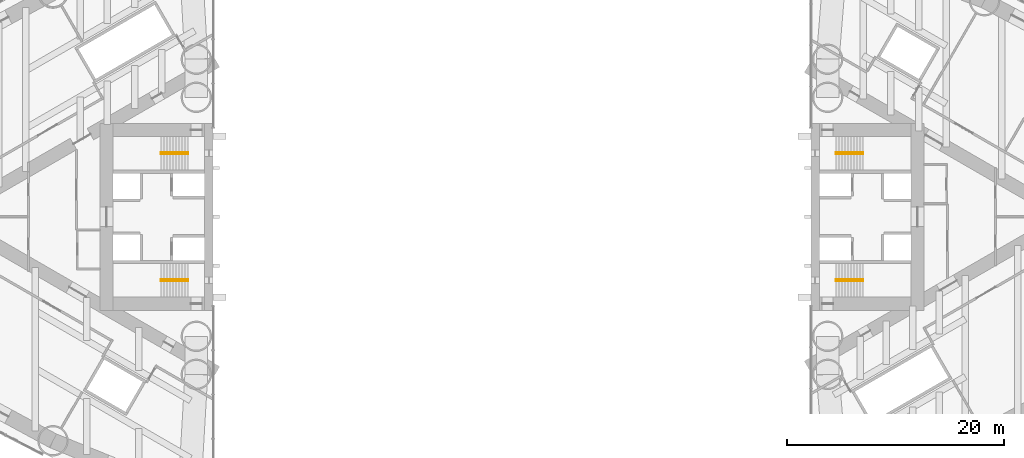
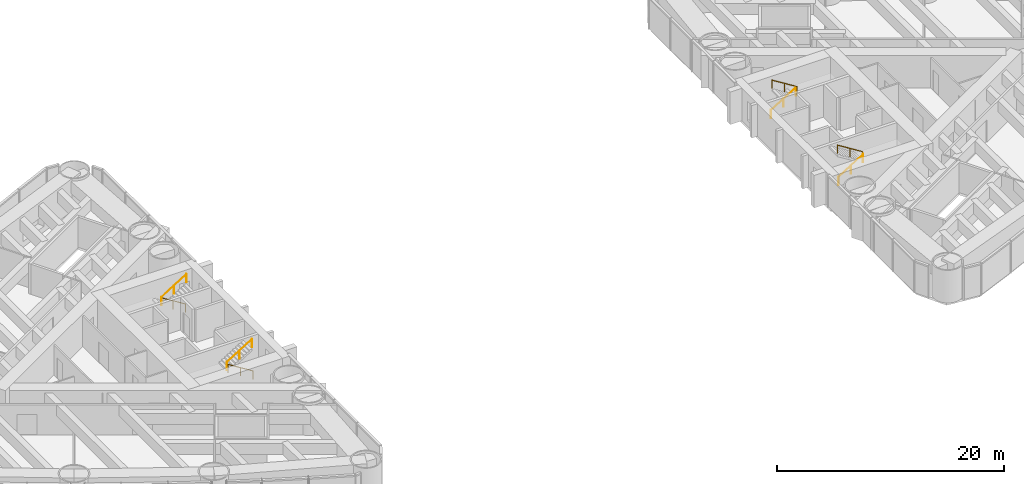
# One storey, part 20 of 20: 8 railings.
"""IFC4 building model written with IfcOpenShell, lengths in metres."""

from ifc_helpers import new_model, si_unit, direction, frame, origin, origin_2d, place, context, subcontext, project, spatial, circle, extrude, material, type_object, element, save


model = new_model("IFC4")

# Units and contexts
model_context = context("Model", 3, precision=1e-05, world=origin(), true_north=direction((0.0, 1.0)))
body_context = subcontext(model_context, "Body", "Model", "MODEL_VIEW")
ifc_project = project(units=[si_unit("LENGTHUNIT", "METRE"), si_unit("AREAUNIT", "SQUARE_METRE"), si_unit("VOLUMEUNIT", "CUBIC_METRE"), si_unit("PLANEANGLEUNIT", "RADIAN"), si_unit("MASSUNIT", "GRAM", prefix="KILO")], contexts=[model_context])

# Site, building, storey
site_placement = place(None, origin())
site = spatial("IfcSite", under=ifc_project, at=site_placement, CompositionType="ELEMENT")
building_placement = place(site_placement, origin())
building = spatial("IfcBuilding", under=site, at=building_placement, Name="Lancet Gate Hotel", CompositionType="ELEMENT")
storey_placement = place(building_placement, frame((0.0, 0.0, 77.5)))
storey = spatial("IfcBuildingStorey", under=building, at=storey_placement, Name="L20", CompositionType="ELEMENT", Elevation=77.5)

# Railings
ifc_material = material(Name="Stainless steel handrail", Category="steel")
railing_type = type_object("IfcRailingType", Name="Stair handrail 900", PredefinedType="HANDRAIL", material=ifc_material)
railing_1_placement = place(storey_placement, frame((-29.800048828125, 5.929931640625, 0.175048828125)))
element("IfcRailing", 1, at=railing_1_placement, inside=storey, type_object=railing_type, Name="ST1 handrail flight 1 L20", PredefinedType="HANDRAIL", context=body_context, shape_type="SweptSolid", body=[
    extrude(circle(Radius=0.02392578125, at=origin_2d()), frame((0.0, 0.0, 0.8759765625), z_axis=(-0.848007534815, 0.0, 0.529984170421), x_axis=(0.0, -1.0, 0.0)), (0.0, 0.0, 1.0), 2.9716796875),
    extrude(circle(Radius=0.02099609375, at=origin_2d()), origin(), (0.0, 0.0, 1.0), 0.851806640625),
    extrude(circle(Radius=0.02099609375, at=origin_2d()), frame((-1.260009765625, 0.0, 0.78759765625)), (0.0, 0.0, 1.0), 0.851806640625),
    extrude(circle(Radius=0.02099609375, at=origin_2d()), frame((-2.52001953125, 0.0, 1.574951171875)), (0.0, 0.0, 1.0), 0.851806640625),
])
railing_2_placement = place(storey_placement, frame((-32.320068359375, 5.77001953125, 1.925048828125)))
element("IfcRailing", 2, at=railing_2_placement, inside=storey, type_object=railing_type, Name="ST1 handrail flight 2 L20", PredefinedType="HANDRAIL", context=body_context, shape_type="SweptSolid", body=[
    extrude(circle(Radius=0.02392578125, at=origin_2d()), frame((0.0, 0.0, 0.8759765625), z_axis=(0.848007534815, 0.0, 0.529984170421), x_axis=(0.0, 1.0, 0.0)), (0.0, 0.0, 1.0), 2.9716796875),
    extrude(circle(Radius=0.02099609375, at=origin_2d()), origin(), (0.0, 0.0, 1.0), 0.851806640625),
    extrude(circle(Radius=0.02099609375, at=origin_2d()), frame((1.260009765625, 0.0, 0.78759765625)), (0.0, 0.0, 1.0), 0.851806640625),
    extrude(circle(Radius=0.02099609375, at=origin_2d()), frame((2.52001953125, 0.0, 1.574951171875)), (0.0, 0.0, 1.0), 0.851806640625),
])
railing_3_placement = place(storey_placement, frame((-29.800048828125, -5.929931640625, 0.175048828125)))
element("IfcRailing", 3, at=railing_3_placement, inside=storey, type_object=railing_type, Name="ST2 handrail flight 1 L20", PredefinedType="HANDRAIL", context=body_context, shape_type="SweptSolid", body=[
    extrude(circle(Radius=0.02392578125, at=origin_2d()), frame((0.0, 0.0, 0.8759765625), z_axis=(-0.848007534815, 0.0, 0.529984170421), x_axis=(0.0, -1.0, 0.0)), (0.0, 0.0, 1.0), 2.9716796875),
    extrude(circle(Radius=0.02099609375, at=origin_2d()), origin(), (0.0, 0.0, 1.0), 0.851806640625),
    extrude(circle(Radius=0.02099609375, at=origin_2d()), frame((-1.260009765625, 0.0, 0.78759765625)), (0.0, 0.0, 1.0), 0.851806640625),
    extrude(circle(Radius=0.02099609375, at=origin_2d()), frame((-2.52001953125, 0.0, 1.574951171875)), (0.0, 0.0, 1.0), 0.851806640625),
])
for number, where, name in (
    (4, (-32.320068359375, -5.77001953125, 1.925048828125), "ST2 handrail flight 2 L20"),
    (5, (29.800048828125, -5.929931640625, 0.175048828125), "ST3 handrail flight 1 L20"),
):
    element("IfcRailing", number, at=place(storey_placement, frame(where)), inside=storey, type_object=railing_type, Name=name, PredefinedType="HANDRAIL", context=body_context, shape_type="SweptSolid", body=[
        extrude(circle(Radius=0.02392578125, at=origin_2d()), frame((0.0, 0.0, 0.8759765625), z_axis=(0.848007534815, 0.0, 0.529984170421), x_axis=(0.0, 1.0, 0.0)), (0.0, 0.0, 1.0), 2.9716796875),
        extrude(circle(Radius=0.02099609375, at=origin_2d()), origin(), (0.0, 0.0, 1.0), 0.851806640625),
        extrude(circle(Radius=0.02099609375, at=origin_2d()), frame((1.260009765625, 0.0, 0.78759765625)), (0.0, 0.0, 1.0), 0.851806640625),
        extrude(circle(Radius=0.02099609375, at=origin_2d()), frame((2.52001953125, 0.0, 1.574951171875)), (0.0, 0.0, 1.0), 0.851806640625),
    ])
railing_4_placement = place(storey_placement, frame((32.320068359375, -5.77001953125, 1.925048828125)))
element("IfcRailing", 6, at=railing_4_placement, inside=storey, type_object=railing_type, Name="ST3 handrail flight 2 L20", PredefinedType="HANDRAIL", context=body_context, shape_type="SweptSolid", body=[
    extrude(circle(Radius=0.02392578125, at=origin_2d()), frame((0.0, 0.0, 0.8759765625), z_axis=(-0.848007534815, 0.0, 0.529984170421), x_axis=(0.0, -1.0, 0.0)), (0.0, 0.0, 1.0), 2.9716796875),
    extrude(circle(Radius=0.02099609375, at=origin_2d()), origin(), (0.0, 0.0, 1.0), 0.851806640625),
    extrude(circle(Radius=0.02099609375, at=origin_2d()), frame((-1.260009765625, 0.0, 0.78759765625)), (0.0, 0.0, 1.0), 0.851806640625),
    extrude(circle(Radius=0.02099609375, at=origin_2d()), frame((-2.52001953125, 0.0, 1.574951171875)), (0.0, 0.0, 1.0), 0.851806640625),
])
railing_5_placement = place(storey_placement, frame((29.800048828125, 5.929931640625, 0.175048828125)))
element("IfcRailing", 7, at=railing_5_placement, inside=storey, type_object=railing_type, Name="ST4 handrail flight 1 L20", PredefinedType="HANDRAIL", context=body_context, shape_type="SweptSolid", body=[
    extrude(circle(Radius=0.02392578125, at=origin_2d()), frame((0.0, 0.0, 0.8759765625), z_axis=(0.848007534815, 0.0, 0.529984170421), x_axis=(0.0, 1.0, 0.0)), (0.0, 0.0, 1.0), 2.9716796875),
    extrude(circle(Radius=0.02099609375, at=origin_2d()), origin(), (0.0, 0.0, 1.0), 0.851806640625),
    extrude(circle(Radius=0.02099609375, at=origin_2d()), frame((1.260009765625, 0.0, 0.78759765625)), (0.0, 0.0, 1.0), 0.851806640625),
    extrude(circle(Radius=0.02099609375, at=origin_2d()), frame((2.52001953125, 0.0, 1.574951171875)), (0.0, 0.0, 1.0), 0.851806640625),
])
railing_6_placement = place(storey_placement, frame((32.320068359375, 5.77001953125, 1.925048828125)))
element("IfcRailing", 8, at=railing_6_placement, inside=storey, type_object=railing_type, Name="ST4 handrail flight 2 L20", PredefinedType="HANDRAIL", context=body_context, shape_type="SweptSolid", body=[
    extrude(circle(Radius=0.02392578125, at=origin_2d()), frame((0.0, 0.0, 0.8759765625), z_axis=(-0.848007534815, 0.0, 0.529984170421), x_axis=(0.0, -1.0, 0.0)), (0.0, 0.0, 1.0), 2.9716796875),
    extrude(circle(Radius=0.02099609375, at=origin_2d()), origin(), (0.0, 0.0, 1.0), 0.851806640625),
    extrude(circle(Radius=0.02099609375, at=origin_2d()), frame((-1.260009765625, 0.0, 0.78759765625)), (0.0, 0.0, 1.0), 0.851806640625),
    extrude(circle(Radius=0.02099609375, at=origin_2d()), frame((-2.52001953125, 0.0, 1.574951171875)), (0.0, 0.0, 1.0), 0.851806640625),
])

save(model, "model.ifc")
